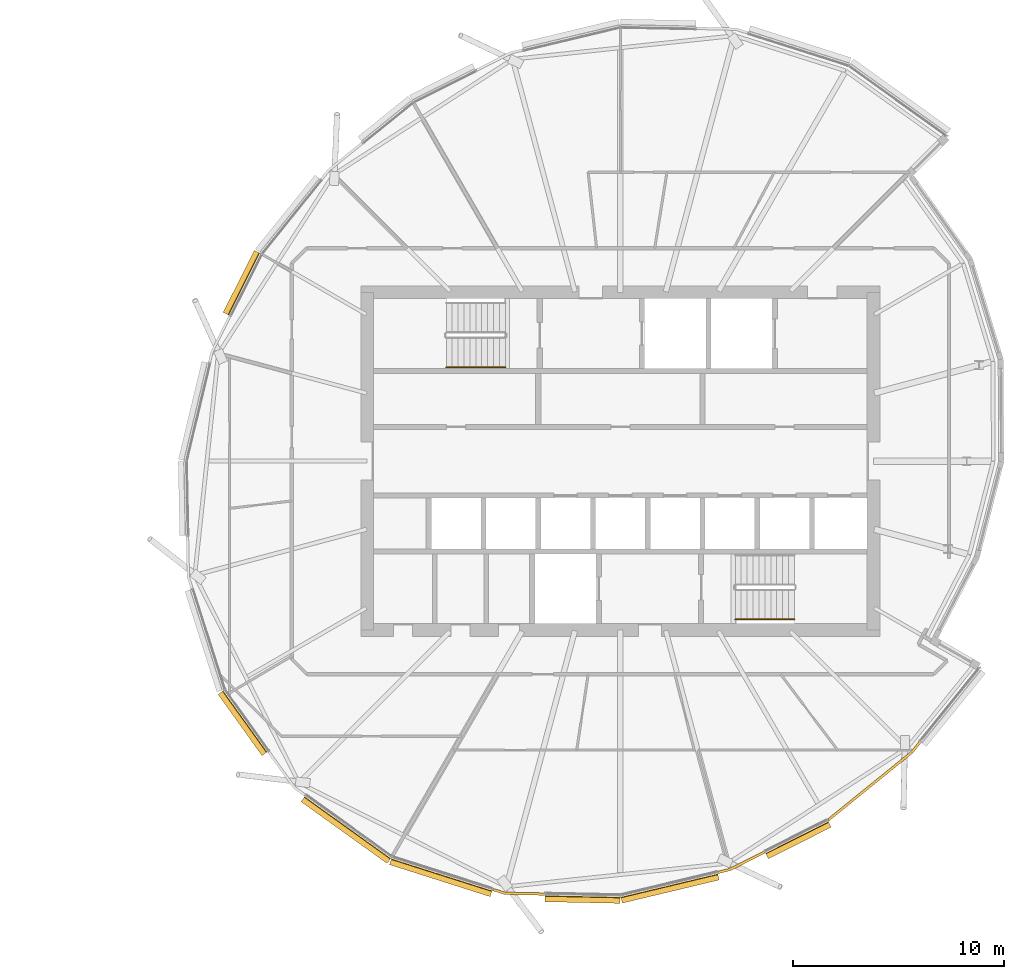
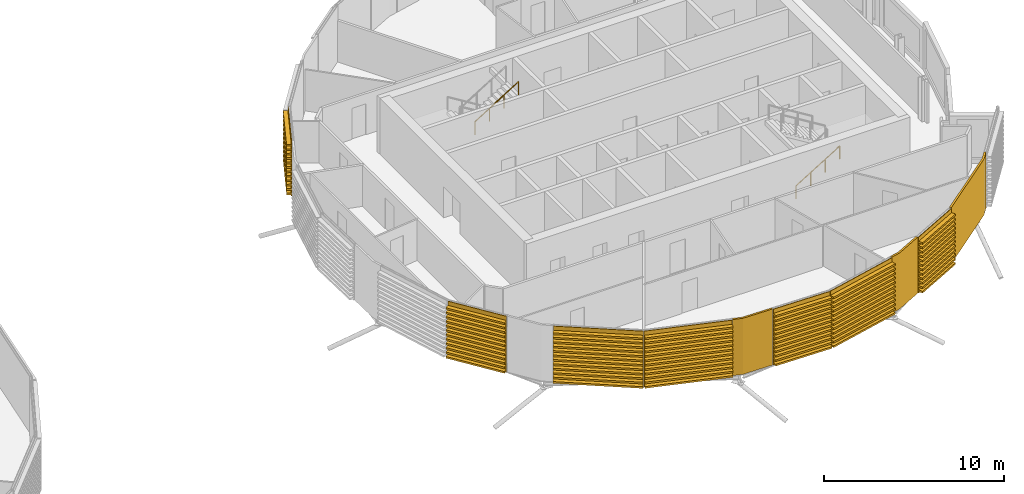
# One storey, part 34 of 36: 10 coverings, 2 railings.
"""IFC4 building model written with IfcOpenShell, lengths in metres."""

from ifc_helpers import new_model, si_unit, direction, frame, origin, origin_2d, place, context, subcontext, project, spatial, polyline, circle, outline, extrude, material, layer, layer_set, material_profile, profile_set, type_object, element, save


model = new_model("IFC4")

# Units and contexts
model_context = context("Model", 3, precision=1e-05, world=origin(), true_north=direction((0.0, 1.0)))
body_context = subcontext(model_context, "Body", "Model", "MODEL_VIEW")
ifc_project = project(units=[si_unit("LENGTHUNIT", "METRE"), si_unit("AREAUNIT", "SQUARE_METRE"), si_unit("VOLUMEUNIT", "CUBIC_METRE"), si_unit("PLANEANGLEUNIT", "RADIAN"), si_unit("MASSUNIT", "GRAM", prefix="KILO")], contexts=[model_context])

# Site, building, storey
site_placement = place(None, origin())
site = spatial("IfcSite", under=ifc_project, at=site_placement, CompositionType="ELEMENT")
building_placement = place(site_placement, origin())
building = spatial("IfcBuilding", under=site, at=building_placement, Name="Rimbun Link Towers", CompositionType="ELEMENT")
storey_placement = place(building_placement, frame((0.0, 0.0, 189.300048828125)))
storey = spatial("IfcBuildingStorey", under=building, at=storey_placement, Name="L46", CompositionType="ELEMENT", Elevation=189.300048828125)

# Coverings
ifc_material_1 = material(Name="Terracotta", Category="masonry")
ifc_layer = layer(ifc_material_1, 0.1201171875)
ifc_layer_set = layer_set([ifc_layer], Name="LINK PIER terracotta cladding 120")
covering_type_1 = type_object("IfcCoveringType", Name="LINK PIER terracotta cladding 120", PredefinedType="CLADDING", material=ifc_layer_set)
covering_1_placement = place(storey_placement, origin())
element("IfcCovering", 1, at=covering_1_placement, inside=storey, type_object=covering_type_1, Name="LINK PIER cladding", PredefinedType="CLADDING", context=body_context, shape_type="SweptSolid", body=[
    extrude(outline(polyline([(28.1484375, -20.458251953125), (26.27880859375, -20.418701171875), (25.735595703125, -20.24609375), (25.69921875, -20.3603515625), (26.259033203125, -20.538330078125), (28.145751953125, -20.578125), (28.1484375, -20.458251953125)])), origin(), (0.0, 0.0, 1.0), 3.800048828125),
])
covering_2_placement = place(storey_placement, origin())
element("IfcCovering", 2, at=covering_2_placement, inside=storey, type_object=covering_type_1, Name="LINK PIER cladding", PredefinedType="CLADDING", context=body_context, shape_type="SweptSolid", body=[
    extrude(outline(polyline([(38.547119140625, -18.480712890625), (36.920654296875, -19.297607421875), (36.366455078125, -19.43017578125), (36.394287109375, -19.546875), (36.962158203125, -19.410888671875), (38.60107421875, -18.587890625), (38.547119140625, -18.480712890625)])), origin(), (0.0, 0.0, 1.0), 3.800048828125),
])
covering_3_placement = place(storey_placement, origin())
element("IfcCovering", 3, at=covering_3_placement, inside=storey, type_object=covering_type_1, Name="LINK PIER cladding", PredefinedType="CLADDING", context=body_context, shape_type="SweptSolid", body=[
    extrude(outline(polyline([(45.904052734375, -13.281982421875), (45.513916015625, -13.763916015625), (41.57275390625, -16.9541015625), (41.648193359375, -17.04736328125), (45.599365234375, -13.849365234375), (45.997314453125, -13.357666015625), (45.904052734375, -13.281982421875)])), origin(), (0.0, 0.0, 1.0), 3.800048828125),
])

# Railings
ifc_material_2 = material(Name="Stainless steel grade 316", Category="steel")
railing_type = type_object("IfcRailingType", Name="Stair handrail", PredefinedType="HANDRAIL", material=ifc_material_2)
for number, where, name in (
    (4, (23.5, 4.449951171875, 2.07275390625), "L46 ST3 stair handrail 2"),
    (5, (37.199951171875, -7.5, 0.172607421875), "L46 ST4 stair handrail 1"),
):
    element("IfcRailing", number, at=place(storey_placement, frame(where)), inside=storey, type_object=railing_type, Name=name, PredefinedType="HANDRAIL", context=body_context, shape_type="SweptSolid", body=[
        extrude(circle(Radius=0.02392578125, at=origin_2d()), frame((0.0, 0.0, 0.8759765625), z_axis=(0.851089632645, 0.0, 0.525020415988), x_axis=(0.0, 1.0, 0.0)), (0.0, 0.0, 1.0), 3.2900390625),
        extrude(circle(Radius=0.02099609375, at=origin_2d()), origin(), (0.0, 0.0, 1.0), 0.851806640625),
        extrude(circle(Radius=0.02099609375, at=origin_2d()), frame((0.933349609375, 0.0, 0.57568359375)), (0.0, 0.0, 1.0), 0.851806640625),
        extrude(circle(Radius=0.02099609375, at=origin_2d()), frame((1.86669921875, 0.0, 1.151611328125)), (0.0, 0.0, 1.0), 0.851806640625),
        extrude(circle(Radius=0.02099609375, at=origin_2d()), frame((2.800048828125, 0.0, 1.727294921875)), (0.0, 0.0, 1.0), 0.851806640625),
    ])

# Coverings
ifc_material_3 = material(Name="Terracotta", Category="masonry")
ifc_material_profile = material_profile(ifc_material_3, outline(polyline([(0.123046875, 0.0), (0.1630859375, 0.0), (0.1630859375, 0.10009765625), (0.423095703125, 0.10009765625), (0.423095703125, 0.219970703125), (0.1630859375, 0.219970703125), (0.1630859375, 0.39990234375), (0.423095703125, 0.39990234375), (0.423095703125, 0.52001953125), (0.1630859375, 0.52001953125), (0.1630859375, 0.699951171875), (0.423095703125, 0.699951171875), (0.423095703125, 0.820068359375), (0.1630859375, 0.820068359375), (0.1630859375, 1.0), (0.423095703125, 1.0), (0.423095703125, 1.1201171875), (0.1630859375, 1.1201171875), (0.1630859375, 1.300048828125), (0.423095703125, 1.300048828125), (0.423095703125, 1.419921875), (0.1630859375, 1.419921875), (0.1630859375, 1.60009765625), (0.423095703125, 1.60009765625), (0.423095703125, 1.719970703125), (0.1630859375, 1.719970703125), (0.1630859375, 1.89990234375), (0.423095703125, 1.89990234375), (0.423095703125, 2.02001953125), (0.1630859375, 2.02001953125), (0.1630859375, 2.199951171875), (0.423095703125, 2.199951171875), (0.423095703125, 2.320068359375), (0.1630859375, 2.320068359375), (0.1630859375, 2.5), (0.423095703125, 2.5), (0.423095703125, 2.6201171875), (0.1630859375, 2.6201171875), (0.1630859375, 2.800048828125), (0.423095703125, 2.800048828125), (0.423095703125, 2.919921875), (0.1630859375, 2.919921875), (0.1630859375, 3.10009765625), (0.423095703125, 3.10009765625), (0.423095703125, 3.219970703125), (0.1630859375, 3.219970703125), (0.1630859375, 3.39990234375), (0.423095703125, 3.39990234375), (0.423095703125, 3.52001953125), (0.1630859375, 3.52001953125), (0.1630859375, 3.800048828125), (0.123046875, 3.800048828125), (0.123046875, 0.0)])), Name="BAGUETTE 120X300")
ifc_profile_set = profile_set([ifc_material_profile], Name="Terracotta")
covering_type_2 = type_object("IfcCoveringType", Name="TERRACOTTA BAGUETTE 120X300 H3800", PredefinedType="CLADDING", material=ifc_profile_set)
covering_4_placement = place(storey_placement, frame((13.30517578125, 6.86865234375, 0.0), z_axis=(0.448820855962, 0.893621754017, 0.0), x_axis=(-0.893621754017, 0.448820855962, 0.0)))
element("IfcCovering", 6, at=covering_4_placement, inside=storey, type_object=covering_type_2, Name="TERRACOTTA BAGUETTE", PredefinedType="CLADDING", context=body_context, shape_type="SweptSolid", body=[
    extrude(outline(polyline([(0.123046875, 0.0), (0.1630859375, 0.0), (0.1630859375, 0.10009765625), (0.423095703125, 0.10009765625), (0.423095703125, 0.219970703125), (0.1630859375, 0.219970703125), (0.1630859375, 0.39990234375), (0.423095703125, 0.39990234375), (0.423095703125, 0.52001953125), (0.1630859375, 0.52001953125), (0.1630859375, 0.699951171875), (0.423095703125, 0.699951171875), (0.423095703125, 0.820068359375), (0.1630859375, 0.820068359375), (0.1630859375, 1.0), (0.423095703125, 1.0), (0.423095703125, 1.1201171875), (0.1630859375, 1.1201171875), (0.1630859375, 1.300048828125), (0.423095703125, 1.300048828125), (0.423095703125, 1.419921875), (0.1630859375, 1.419921875), (0.1630859375, 1.60009765625), (0.423095703125, 1.60009765625), (0.423095703125, 1.719970703125), (0.1630859375, 1.719970703125), (0.1630859375, 1.89990234375), (0.423095703125, 1.89990234375), (0.423095703125, 2.02001953125), (0.1630859375, 2.02001953125), (0.1630859375, 2.199951171875), (0.423095703125, 2.199951171875), (0.423095703125, 2.320068359375), (0.1630859375, 2.320068359375), (0.1630859375, 2.5), (0.423095703125, 2.5), (0.423095703125, 2.6201171875), (0.1630859375, 2.6201171875), (0.1630859375, 2.800048828125), (0.423095703125, 2.800048828125), (0.423095703125, 2.919921875), (0.1630859375, 2.919921875), (0.1630859375, 3.10009765625), (0.423095703125, 3.10009765625), (0.423095703125, 3.219970703125), (0.1630859375, 3.219970703125), (0.1630859375, 3.39990234375), (0.423095703125, 3.39990234375), (0.423095703125, 3.52001953125), (0.1630859375, 3.52001953125), (0.1630859375, 3.800048828125), (0.123046875, 3.800048828125), (0.123046875, 0.0)])), origin(), (0.0, 0.0, 1.0), 3.279541015625),
])
covering_5_placement = place(storey_placement, frame((15.110107421875, -13.70947265625, 0.0), z_axis=(-0.583028589075, 0.812451638143, 0.0), x_axis=(-0.812451638143, -0.583028589075, 0.0)))
element("IfcCovering", 7, at=covering_5_placement, inside=storey, type_object=covering_type_2, Name="TERRACOTTA BAGUETTE", PredefinedType="CLADDING", context=body_context, shape_type="SweptSolid", body=[
    extrude(outline(polyline([(0.123046875, 0.0), (0.1630859375, 0.0), (0.1630859375, 0.10009765625), (0.423095703125, 0.10009765625), (0.423095703125, 0.219970703125), (0.1630859375, 0.219970703125), (0.1630859375, 0.39990234375), (0.423095703125, 0.39990234375), (0.423095703125, 0.52001953125), (0.1630859375, 0.52001953125), (0.1630859375, 0.699951171875), (0.423095703125, 0.699951171875), (0.423095703125, 0.820068359375), (0.1630859375, 0.820068359375), (0.1630859375, 1.0), (0.423095703125, 1.0), (0.423095703125, 1.1201171875), (0.1630859375, 1.1201171875), (0.1630859375, 1.300048828125), (0.423095703125, 1.300048828125), (0.423095703125, 1.419921875), (0.1630859375, 1.419921875), (0.1630859375, 1.60009765625), (0.423095703125, 1.60009765625), (0.423095703125, 1.719970703125), (0.1630859375, 1.719970703125), (0.1630859375, 1.89990234375), (0.423095703125, 1.89990234375), (0.423095703125, 2.02001953125), (0.1630859375, 2.02001953125), (0.1630859375, 2.199951171875), (0.423095703125, 2.199951171875), (0.423095703125, 2.320068359375), (0.1630859375, 2.320068359375), (0.1630859375, 2.5), (0.423095703125, 2.5), (0.423095703125, 2.6201171875), (0.1630859375, 2.6201171875), (0.1630859375, 2.800048828125), (0.423095703125, 2.800048828125), (0.423095703125, 2.919921875), (0.1630859375, 2.919921875), (0.1630859375, 3.10009765625), (0.423095703125, 3.10009765625), (0.423095703125, 3.219970703125), (0.1630859375, 3.219970703125), (0.1630859375, 3.39990234375), (0.423095703125, 3.39990234375), (0.423095703125, 3.52001953125), (0.1630859375, 3.52001953125), (0.1630859375, 3.800048828125), (0.123046875, 3.800048828125), (0.123046875, 0.0)])), origin(), (0.0, 0.0, 1.0), 3.5703125),
])
covering_6_placement = place(storey_placement, frame((20.941162109375, -18.721435546875, 0.0), z_axis=(-0.812463132053, 0.583012571953, 0.0), x_axis=(-0.583012571953, -0.812463132053, 0.0)))
element("IfcCovering", 8, at=covering_6_placement, inside=storey, type_object=covering_type_2, Name="TERRACOTTA BAGUETTE", PredefinedType="CLADDING", context=body_context, shape_type="SweptSolid", body=[
    extrude(outline(polyline([(0.123046875, 0.0), (0.1630859375, 0.0), (0.1630859375, 0.10009765625), (0.423095703125, 0.10009765625), (0.423095703125, 0.219970703125), (0.1630859375, 0.219970703125), (0.1630859375, 0.39990234375), (0.423095703125, 0.39990234375), (0.423095703125, 0.52001953125), (0.1630859375, 0.52001953125), (0.1630859375, 0.699951171875), (0.423095703125, 0.699951171875), (0.423095703125, 0.820068359375), (0.1630859375, 0.820068359375), (0.1630859375, 1.0), (0.423095703125, 1.0), (0.423095703125, 1.1201171875), (0.1630859375, 1.1201171875), (0.1630859375, 1.300048828125), (0.423095703125, 1.300048828125), (0.423095703125, 1.419921875), (0.1630859375, 1.419921875), (0.1630859375, 1.60009765625), (0.423095703125, 1.60009765625), (0.423095703125, 1.719970703125), (0.1630859375, 1.719970703125), (0.1630859375, 1.89990234375), (0.423095703125, 1.89990234375), (0.423095703125, 2.02001953125), (0.1630859375, 2.02001953125), (0.1630859375, 2.199951171875), (0.423095703125, 2.199951171875), (0.423095703125, 2.320068359375), (0.1630859375, 2.320068359375), (0.1630859375, 2.5), (0.423095703125, 2.5), (0.423095703125, 2.6201171875), (0.1630859375, 2.6201171875), (0.1630859375, 2.800048828125), (0.423095703125, 2.800048828125), (0.423095703125, 2.919921875), (0.1630859375, 2.919921875), (0.1630859375, 3.10009765625), (0.423095703125, 3.10009765625), (0.423095703125, 3.219970703125), (0.1630859375, 3.219970703125), (0.1630859375, 3.39990234375), (0.423095703125, 3.39990234375), (0.423095703125, 3.52001953125), (0.1630859375, 3.52001953125), (0.1630859375, 3.800048828125), (0.123046875, 3.800048828125), (0.123046875, 0.0)])), origin(), (0.0, 0.0, 1.0), 5.02001953125),
])
covering_7_placement = place(storey_placement, frame((25.70703125, -20.237060546875, 0.0), z_axis=(-0.952971289765, 0.303060589461, 0.0), x_axis=(-0.303060589461, -0.952971289765, 0.0)))
element("IfcCovering", 9, at=covering_7_placement, inside=storey, type_object=covering_type_2, Name="TERRACOTTA BAGUETTE", PredefinedType="CLADDING", context=body_context, shape_type="SweptSolid", body=[
    extrude(outline(polyline([(0.123046875, 0.0), (0.1630859375, 0.0), (0.1630859375, 0.10009765625), (0.423095703125, 0.10009765625), (0.423095703125, 0.219970703125), (0.1630859375, 0.219970703125), (0.1630859375, 0.39990234375), (0.423095703125, 0.39990234375), (0.423095703125, 0.52001953125), (0.1630859375, 0.52001953125), (0.1630859375, 0.699951171875), (0.423095703125, 0.699951171875), (0.423095703125, 0.820068359375), (0.1630859375, 0.820068359375), (0.1630859375, 1.0), (0.423095703125, 1.0), (0.423095703125, 1.1201171875), (0.1630859375, 1.1201171875), (0.1630859375, 1.300048828125), (0.423095703125, 1.300048828125), (0.423095703125, 1.419921875), (0.1630859375, 1.419921875), (0.1630859375, 1.60009765625), (0.423095703125, 1.60009765625), (0.423095703125, 1.719970703125), (0.1630859375, 1.719970703125), (0.1630859375, 1.89990234375), (0.423095703125, 1.89990234375), (0.423095703125, 2.02001953125), (0.1630859375, 2.02001953125), (0.1630859375, 2.199951171875), (0.423095703125, 2.199951171875), (0.423095703125, 2.320068359375), (0.1630859375, 2.320068359375), (0.1630859375, 2.5), (0.423095703125, 2.5), (0.423095703125, 2.6201171875), (0.1630859375, 2.6201171875), (0.1630859375, 2.800048828125), (0.423095703125, 2.800048828125), (0.423095703125, 2.919921875), (0.1630859375, 2.919921875), (0.1630859375, 3.10009765625), (0.423095703125, 3.10009765625), (0.423095703125, 3.219970703125), (0.1630859375, 3.219970703125), (0.1630859375, 3.39990234375), (0.423095703125, 3.39990234375), (0.423095703125, 3.52001953125), (0.1630859375, 3.52001953125), (0.1630859375, 3.800048828125), (0.123046875, 3.800048828125), (0.123046875, 0.0)])), origin(), (0.0, 0.0, 1.0), 5.0009765625),
])
covering_8_placement = place(storey_placement, frame((31.75, -20.5341796875, 0.0), z_axis=(-0.999776996135, 0.021117717671, 0.0), x_axis=(-0.021117717671, -0.999776996135, 0.0)))
element("IfcCovering", 10, at=covering_8_placement, inside=storey, type_object=covering_type_2, Name="TERRACOTTA BAGUETTE", PredefinedType="CLADDING", context=body_context, shape_type="SweptSolid", body=[
    extrude(outline(polyline([(0.123046875, 0.0), (0.1630859375, 0.0), (0.1630859375, 0.10009765625), (0.423095703125, 0.10009765625), (0.423095703125, 0.219970703125), (0.1630859375, 0.219970703125), (0.1630859375, 0.39990234375), (0.423095703125, 0.39990234375), (0.423095703125, 0.52001953125), (0.1630859375, 0.52001953125), (0.1630859375, 0.699951171875), (0.423095703125, 0.699951171875), (0.423095703125, 0.820068359375), (0.1630859375, 0.820068359375), (0.1630859375, 1.0), (0.423095703125, 1.0), (0.423095703125, 1.1201171875), (0.1630859375, 1.1201171875), (0.1630859375, 1.300048828125), (0.423095703125, 1.300048828125), (0.423095703125, 1.419921875), (0.1630859375, 1.419921875), (0.1630859375, 1.60009765625), (0.423095703125, 1.60009765625), (0.423095703125, 1.719970703125), (0.1630859375, 1.719970703125), (0.1630859375, 1.89990234375), (0.423095703125, 1.89990234375), (0.423095703125, 2.02001953125), (0.1630859375, 2.02001953125), (0.1630859375, 2.199951171875), (0.423095703125, 2.199951171875), (0.423095703125, 2.320068359375), (0.1630859375, 2.320068359375), (0.1630859375, 2.5), (0.423095703125, 2.5), (0.423095703125, 2.6201171875), (0.1630859375, 2.6201171875), (0.1630859375, 2.800048828125), (0.423095703125, 2.800048828125), (0.423095703125, 2.919921875), (0.1630859375, 2.919921875), (0.1630859375, 3.10009765625), (0.423095703125, 3.10009765625), (0.423095703125, 3.219970703125), (0.1630859375, 3.219970703125), (0.1630859375, 3.39990234375), (0.423095703125, 3.39990234375), (0.423095703125, 3.52001953125), (0.1630859375, 3.52001953125), (0.1630859375, 3.800048828125), (0.123046875, 3.800048828125), (0.123046875, 0.0)])), origin(), (0.0, 0.0, 1.0), 3.572265625),
])
covering_9_placement = place(storey_placement, frame((36.337158203125, -19.43701171875, 0.0), z_axis=(-0.972567436525, -0.232621111275, 0.0), x_axis=(0.232621111275, -0.972567436525, 0.0)))
element("IfcCovering", 11, at=covering_9_placement, inside=storey, type_object=covering_type_2, Name="TERRACOTTA BAGUETTE", PredefinedType="CLADDING", context=body_context, shape_type="SweptSolid", body=[
    extrude(outline(polyline([(0.123046875, 0.0), (0.1630859375, 0.0), (0.1630859375, 0.10009765625), (0.423095703125, 0.10009765625), (0.423095703125, 0.219970703125), (0.1630859375, 0.219970703125), (0.1630859375, 0.39990234375), (0.423095703125, 0.39990234375), (0.423095703125, 0.52001953125), (0.1630859375, 0.52001953125), (0.1630859375, 0.699951171875), (0.423095703125, 0.699951171875), (0.423095703125, 0.820068359375), (0.1630859375, 0.820068359375), (0.1630859375, 1.0), (0.423095703125, 1.0), (0.423095703125, 1.1201171875), (0.1630859375, 1.1201171875), (0.1630859375, 1.300048828125), (0.423095703125, 1.300048828125), (0.423095703125, 1.419921875), (0.1630859375, 1.419921875), (0.1630859375, 1.60009765625), (0.423095703125, 1.60009765625), (0.423095703125, 1.719970703125), (0.1630859375, 1.719970703125), (0.1630859375, 1.89990234375), (0.423095703125, 1.89990234375), (0.423095703125, 2.02001953125), (0.1630859375, 2.02001953125), (0.1630859375, 2.199951171875), (0.423095703125, 2.199951171875), (0.423095703125, 2.320068359375), (0.1630859375, 2.320068359375), (0.1630859375, 2.5), (0.423095703125, 2.5), (0.423095703125, 2.6201171875), (0.1630859375, 2.6201171875), (0.1630859375, 2.800048828125), (0.423095703125, 2.800048828125), (0.423095703125, 2.919921875), (0.1630859375, 2.919921875), (0.1630859375, 3.10009765625), (0.423095703125, 3.10009765625), (0.423095703125, 3.219970703125), (0.1630859375, 3.219970703125), (0.1630859375, 3.39990234375), (0.423095703125, 3.39990234375), (0.423095703125, 3.52001953125), (0.1630859375, 3.52001953125), (0.1630859375, 3.800048828125), (0.123046875, 3.800048828125), (0.123046875, 0.0)])), origin(), (0.0, 0.0, 1.0), 4.716552734375),
])
covering_10_placement = place(storey_placement, frame((41.54931640625, -16.972900390625, 0.0), z_axis=(-0.89361915461, -0.448826031457, 0.0), x_axis=(0.448826031457, -0.89361915461, 0.0)))
element("IfcCovering", 12, at=covering_10_placement, inside=storey, type_object=covering_type_2, Name="TERRACOTTA BAGUETTE", PredefinedType="CLADDING", context=body_context, shape_type="SweptSolid", body=[
    extrude(outline(polyline([(0.123046875, 0.0), (0.1630859375, 0.0), (0.1630859375, 0.10009765625), (0.423095703125, 0.10009765625), (0.423095703125, 0.219970703125), (0.1630859375, 0.219970703125), (0.1630859375, 0.39990234375), (0.423095703125, 0.39990234375), (0.423095703125, 0.52001953125), (0.1630859375, 0.52001953125), (0.1630859375, 0.699951171875), (0.423095703125, 0.699951171875), (0.423095703125, 0.820068359375), (0.1630859375, 0.820068359375), (0.1630859375, 1.0), (0.423095703125, 1.0), (0.423095703125, 1.1201171875), (0.1630859375, 1.1201171875), (0.1630859375, 1.300048828125), (0.423095703125, 1.300048828125), (0.423095703125, 1.419921875), (0.1630859375, 1.419921875), (0.1630859375, 1.60009765625), (0.423095703125, 1.60009765625), (0.423095703125, 1.719970703125), (0.1630859375, 1.719970703125), (0.1630859375, 1.89990234375), (0.423095703125, 1.89990234375), (0.423095703125, 2.02001953125), (0.1630859375, 2.02001953125), (0.1630859375, 2.199951171875), (0.423095703125, 2.199951171875), (0.423095703125, 2.320068359375), (0.1630859375, 2.320068359375), (0.1630859375, 2.5), (0.423095703125, 2.5), (0.423095703125, 2.6201171875), (0.1630859375, 2.6201171875), (0.1630859375, 2.800048828125), (0.423095703125, 2.800048828125), (0.423095703125, 2.919921875), (0.1630859375, 2.919921875), (0.1630859375, 3.10009765625), (0.423095703125, 3.10009765625), (0.423095703125, 3.219970703125), (0.1630859375, 3.219970703125), (0.1630859375, 3.39990234375), (0.423095703125, 3.39990234375), (0.423095703125, 3.52001953125), (0.1630859375, 3.52001953125), (0.1630859375, 3.800048828125), (0.123046875, 3.800048828125), (0.123046875, 0.0)])), origin(), (0.0, 0.0, 1.0), 3.32958984375),
])

save(model, "model.ifc")
